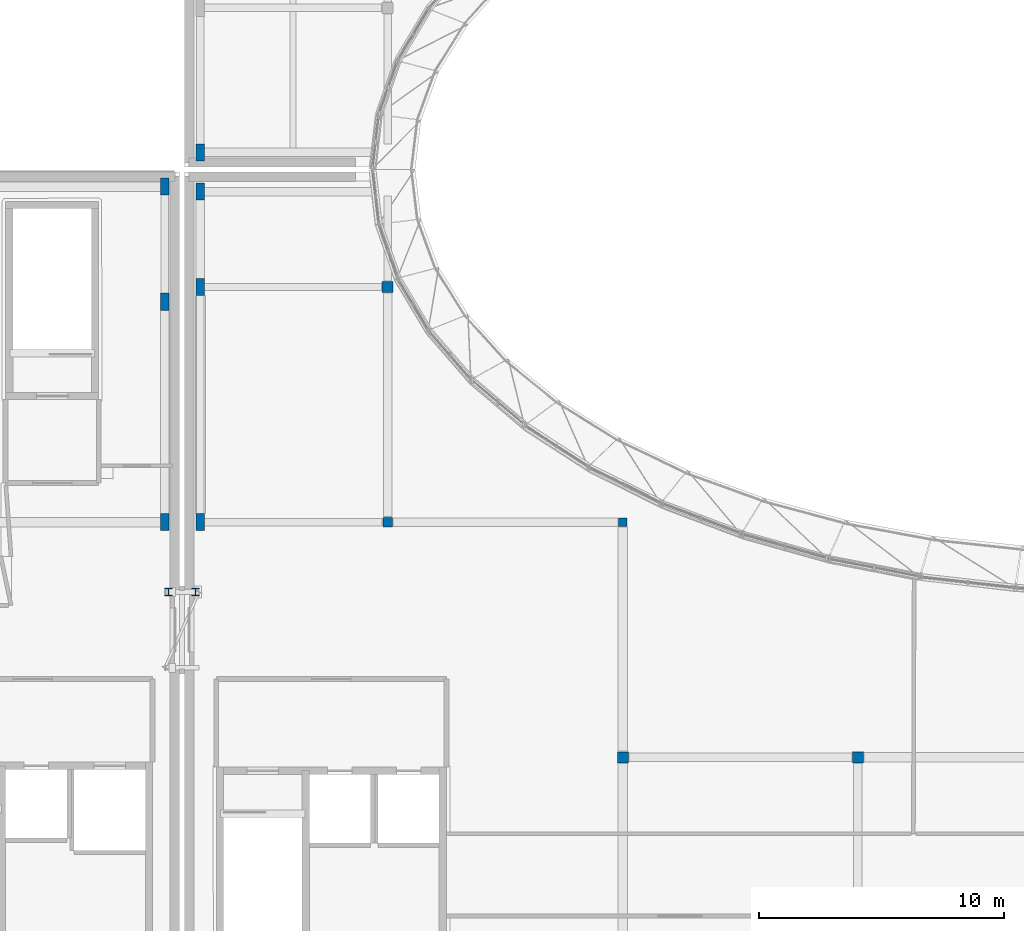
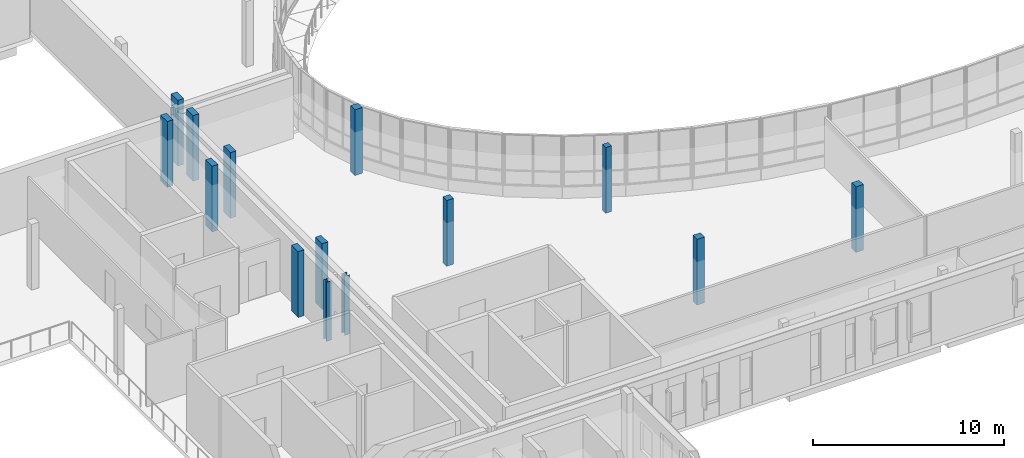
# One storey, part 2 of 73: 14 columns.
"""IFC4 building model written with IfcOpenShell, lengths in metres."""

from ifc_helpers import new_model, si_unit, direction, frame, origin, origin_2d, place, context, subcontext, project, spatial, rectangle, i_section, extrude, material, material_profile, profile_set, type_object, element, save


model = new_model("IFC4")

# Units and contexts
model_context = context("Model", 3, precision=1e-05, world=origin(), true_north=direction((0.0, 1.0)))
body_context = subcontext(model_context, "Body", "Model", "MODEL_VIEW")
ifc_project = project(units=[si_unit("LENGTHUNIT", "METRE"), si_unit("AREAUNIT", "SQUARE_METRE"), si_unit("VOLUMEUNIT", "CUBIC_METRE"), si_unit("PLANEANGLEUNIT", "RADIAN"), si_unit("MASSUNIT", "GRAM", prefix="KILO")], contexts=[model_context])

# Site, building, storey
site_placement = place(None, origin())
site = spatial("IfcSite", under=ifc_project, at=site_placement, CompositionType="ELEMENT")
building_placement = place(site_placement, origin())
building = spatial("IfcBuilding", under=site, at=building_placement, Name="Mzevani Central Library", CompositionType="ELEMENT")
storey_placement = place(building_placement, frame((0.0, 0.0, 9.60009765625)))
storey = spatial("IfcBuildingStorey", under=building, at=storey_placement, Name="L02", CompositionType="ELEMENT", Elevation=9.60009765625)

# Columns
ifc_material_1 = material(Name="Steel S355J2", Category="steel")
ifc_material_profile_1 = material_profile(ifc_material_1, i_section(OverallWidth=0.300048828125, OverallDepth=0.300048828125, WebThickness=0.010986328125, FlangeThickness=0.01904296875, FilletRadius=0.027099609375, at=origin_2d()), Name="HEB 300")
ifc_profile_set_1 = profile_set([ifc_material_profile_1], Name="Steel S355J2")
column_type_1 = type_object("IfcColumnType", Name="Atrium Steel Column HEB 300", PredefinedType="COLUMN", material=ifc_profile_set_1)
for number, where, z_axis, x_axis, name in (
    (1, (45.449951171875, 58.75, 0.0), (0.0, 0.0, 1.0), (1.0, 0.0, 0.0), "L02 Seismic Joint Corbel Column 3"),
    (2, (46.550048828125, 58.75, 0.0), (0.0, 0.0, 1.0), (1.0, 0.0, 0.0), "L02 Seismic Joint Corbel Column 5"),
):
    element("IfcColumn", number, at=place(storey_placement, frame(where, z_axis=z_axis, x_axis=x_axis)), inside=storey, type_object=column_type_1, Name=name, PredefinedType="COLUMN", context=body_context, shape_type="SweptSolid", body=[
        extrude(i_section(OverallWidth=0.300048828125, OverallDepth=0.300048828125, WebThickness=0.010986328125, FlangeThickness=0.01904296875, FilletRadius=0.027099609375, at=origin_2d()), origin(), (0.0, 0.0, 1.0), 3.784912109375),
    ])
ifc_material_2 = material(Name="Concrete C40/50", Category="concrete")
ifc_material_profile_2 = material_profile(ifc_material_2, rectangle(XDim=0.35009765625, YDim=0.35009765625, at=origin_2d()), Name="RC 350x350")
ifc_profile_set_2 = profile_set([ifc_material_profile_2], Name="Concrete C40/50")
column_type_2 = type_object("IfcColumnType", Name="Column RC 350x350", PredefinedType="COLUMN", material=ifc_profile_set_2)
column_1_placement = place(storey_placement, frame((64.0, 61.60009765625, 0.0), z_axis=(0.0, 0.0, 1.0), x_axis=(1.0, 0.0, 0.0)))
element("IfcColumn", 3, at=column_1_placement, inside=storey, type_object=column_type_2, Name="L02 V1 Column C-01 (9)", PredefinedType="COLUMN", context=body_context, shape_type="SweptSolid", body=[
    extrude(rectangle(XDim=0.35009765625, YDim=0.35009765625, at=origin_2d()), origin(), (0.0, 0.0, 1.0), 4.199951171875),
])
ifc_material_profile_3 = material_profile(ifc_material_2, rectangle(XDim=0.39990234375, YDim=0.39990234375, at=origin_2d()), Name="RC 400x400")
ifc_profile_set_3 = profile_set([ifc_material_profile_3], Name="Concrete C40/50")
column_type_3 = type_object("IfcColumnType", Name="Column RC 400x400", PredefinedType="COLUMN", material=ifc_profile_set_3)
column_2_placement = place(storey_placement, frame((54.39990234375, 61.60009765625, 0.0), z_axis=(0.0, 0.0, 1.0), x_axis=(1.0, 0.0, 0.0)))
element("IfcColumn", 4, at=column_2_placement, inside=storey, type_object=column_type_3, Name="L02 V1 Column C-02 (4)", PredefinedType="COLUMN", context=body_context, shape_type="SweptSolid", body=[
    extrude(rectangle(XDim=0.39990234375, YDim=0.39990234375, at=origin_2d()), origin(), (0.0, 0.0, 1.0), 4.199951171875),
])
ifc_material_profile_4 = material_profile(ifc_material_2, rectangle(XDim=0.449951171875, YDim=0.449951171875, at=origin_2d()), Name="RC 450x450")
ifc_profile_set_4 = profile_set([ifc_material_profile_4], Name="Concrete C40/50")
column_type_4 = type_object("IfcColumnType", Name="Column RC 450x450", PredefinedType="COLUMN", material=ifc_profile_set_4)
for number, where, z_axis, x_axis, name in (
    (5, (54.39990234375, 71.199951171875, 0.0), (0.0, 0.0, 1.0), (1.0, 0.0, 0.0), "L02 V1 Column C-03 (5)"),
    (6, (64.0, 52.0, 0.0), (0.0, 0.0, 1.0), (1.0, 0.0, 0.0), "L02 V1 Column C-03 (8)"),
    (7, (73.60009765625, 52.0, 0.0), (0.0, 0.0, 1.0), (1.0, 0.0, 0.0), "L02 V1 Column C-03 (11)"),
):
    element("IfcColumn", number, at=place(storey_placement, frame(where, z_axis=z_axis, x_axis=x_axis)), inside=storey, type_object=column_type_4, Name=name, PredefinedType="COLUMN", context=body_context, shape_type="SweptSolid", body=[
        extrude(rectangle(XDim=0.449951171875, YDim=0.449951171875, at=origin_2d()), origin(), (0.0, 0.0, 1.0), 4.199951171875),
    ])
ifc_material_profile_5 = material_profile(ifc_material_2, rectangle(XDim=0.35009765625, YDim=0.699951171875, at=origin_2d()), Name="RC 350x700")
ifc_profile_set_5 = profile_set([ifc_material_profile_5], Name="Concrete C40/50")
column_type_5 = type_object("IfcColumnType", Name="Joint Twin Column RC 350x700", PredefinedType="COLUMN", material=ifc_profile_set_5)
for number, where, z_axis, x_axis, name in (
    (8, (46.75, 61.60009765625, 0.0), (0.0, 0.0, 1.0), (1.0, 0.0, 0.0), "L02 V1 Column C-18 (1)"),
    (9, (46.75, 71.199951171875, 0.0), (0.0, 0.0, 1.0), (1.0, 0.0, 0.0), "L02 V1 Column C-18 (2)"),
    (10, (46.75, 75.10009765625, 0.0), (0.0, 0.0, 1.0), (1.0, 0.0, 0.0), "L02 V1 Column C-18 (3)"),
    (11, (46.75, 76.699951171875, 0.0), (0.0, 0.0, 1.0), (1.0, 0.0, 0.0), "L02 V3 Column C-18 (100)"),
    (12, (45.300048828125, 61.60009765625, 0.0), (0.0, 0.0, 1.0), (1.0, 0.0, 0.0), "L02 V5 Column C-18 (208)"),
    (13, (45.300048828125, 70.60009765625, 0.0), (0.0, 0.0, 1.0), (1.0, 0.0, 0.0), "L02 V5 Column C-18 (209)"),
    (14, (45.300048828125, 75.300048828125, 0.0), (0.0, 0.0, 1.0), (1.0, 0.0, 0.0), "L02 V5 Column C-18 (210)"),
):
    element("IfcColumn", number, at=place(storey_placement, frame(where, z_axis=z_axis, x_axis=x_axis)), inside=storey, type_object=column_type_5, Name=name, PredefinedType="COLUMN", context=body_context, shape_type="SweptSolid", body=[
        extrude(rectangle(XDim=0.35009765625, YDim=0.699951171875, at=origin_2d()), origin(), (0.0, 0.0, 1.0), 4.199951171875),
    ])

save(model, "model.ifc")
